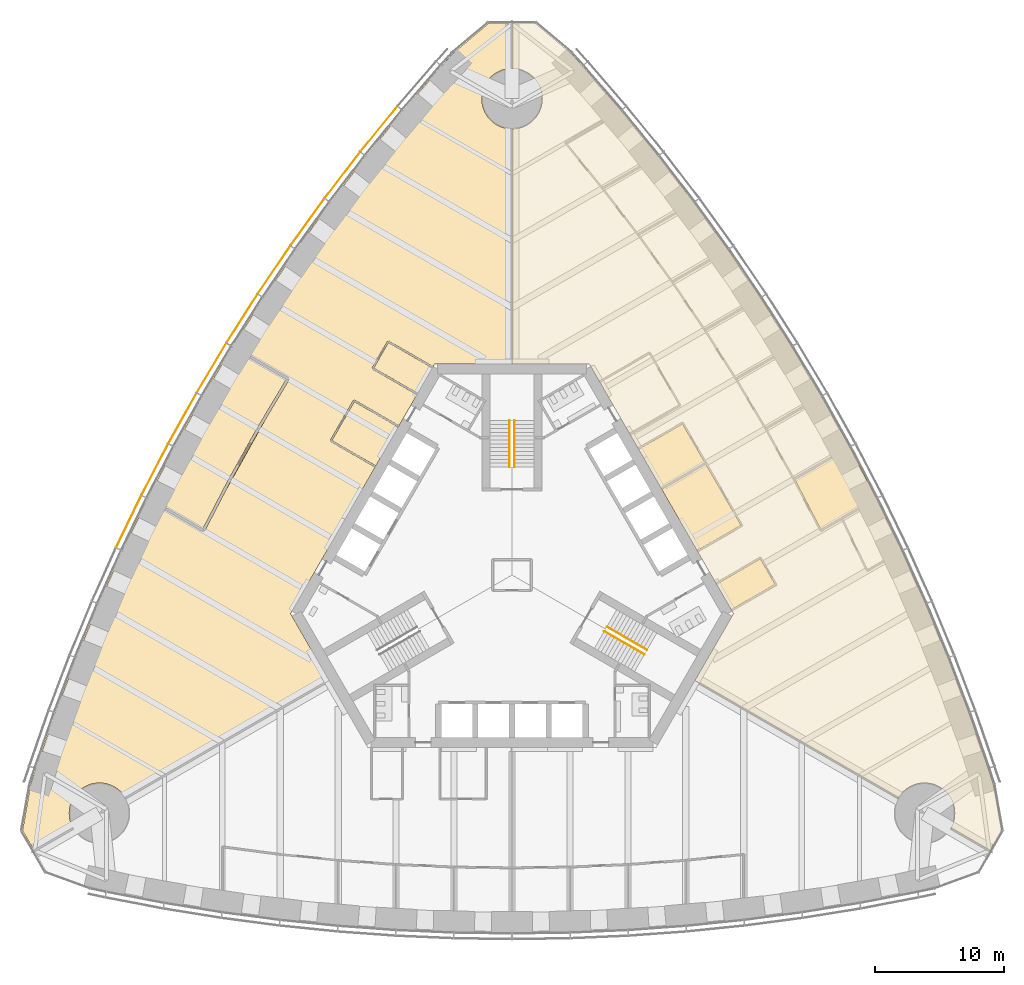
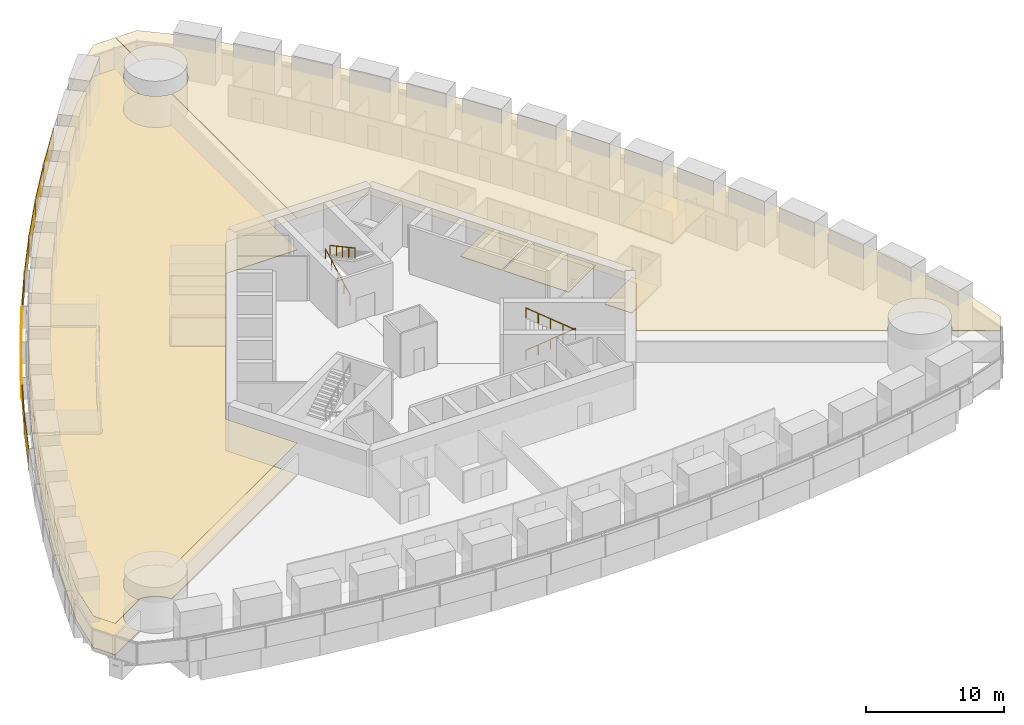
# One storey, part 15 of 18: 10 coverings, 9 shading devices, 4 railings.
"""IFC4 building model written with IfcOpenShell, lengths in metres."""

from ifc_helpers import new_model, si_unit, direction, frame, origin, origin_2d, place, context, subcontext, project, spatial, polyline, rectangle, circle, outline, extrude, material, layer, layer_set, type_object, element, save


model = new_model("IFC4")

# Units and contexts
model_context = context("Model", 3, precision=1e-05, world=origin(), true_north=direction((0.0, 1.0)))
body_context = subcontext(model_context, "Body", "Model", "MODEL_VIEW")
ifc_project = project(units=[si_unit("LENGTHUNIT", "METRE"), si_unit("AREAUNIT", "SQUARE_METRE"), si_unit("VOLUMEUNIT", "CUBIC_METRE"), si_unit("PLANEANGLEUNIT", "RADIAN"), si_unit("MASSUNIT", "GRAM", prefix="KILO")], contexts=[model_context])

# Site, building, storey
site_placement = place(None, origin())
site = spatial("IfcSite", under=ifc_project, at=site_placement, CompositionType="ELEMENT")
building_placement = place(site_placement, origin())
building = spatial("IfcBuilding", under=site, at=building_placement, Name="Trefoil Bronze Tower", CompositionType="ELEMENT")
storey_placement = place(building_placement, frame((0.0, 0.0, 87.89990234375)))
storey = spatial("IfcBuildingStorey", under=building, at=storey_placement, Name="L20", CompositionType="ELEMENT", Elevation=87.89990234375)

# Shading devices
ifc_material_1 = material(Name="Perforated bronze sheet", Category="bronze")
ifc_layer_1 = layer(ifc_material_1, 0.0400390625)
ifc_layer_set_1 = layer_set([ifc_layer_1], Name="Bronze solar screen panel")
shading_device_type = type_object("IfcShadingDeviceType", Name="Bronze solar screen panel", PredefinedType="SHUTTER", material=ifc_layer_set_1)
shading_device_1_placement = place(storey_placement, frame((-10.338623046875, 34.6474609375, 0.050048828125), z_axis=(0.0, 0.0, 1.0), x_axis=(-0.631810729457, -0.775122701346, 0.0)))
element("IfcShadingDevice", 1, at=shading_device_1_placement, inside=storey, type_object=shading_device_type, Name="Solar screen CW-A L20 F3 bay 3", PredefinedType="SHUTTER", context=body_context, shape_type="SweptSolid", body=[
    extrude(rectangle(XDim=4.5283203125, YDim=0.0400390625, at=origin_2d()), origin(), (0.0, 0.0, 1.0), 1.8701171875),
])
shading_device_2_placement = place(storey_placement, frame((-13.170166015625, 31.06787109375, 0.050048828125), z_axis=(0.0, 0.0, 1.0), x_axis=(-0.608807670879, -0.793317855515, 0.0)))
element("IfcShadingDevice", 2, at=shading_device_2_placement, inside=storey, type_object=shading_device_type, Name="Solar screen CW-A L20 F3 bay 4", PredefinedType="SHUTTER", context=body_context, shape_type="SweptSolid", body=[
    extrude(rectangle(XDim=4.5087890625, YDim=0.0400390625, at=origin_2d()), origin(), (0.0, 0.0, 1.0), 1.8701171875),
])
shading_device_3_placement = place(storey_placement, frame((-15.88525390625, 27.421142578125, 0.050048828125), z_axis=(0.0, 0.0, 1.0), x_axis=(-0.585372522213, -0.810764460394, 0.0)))
element("IfcShadingDevice", 3, at=shading_device_3_placement, inside=storey, type_object=shading_device_type, Name="Solar screen CW-A L20 F3 bay 5", PredefinedType="SHUTTER", context=body_context, shape_type="SweptSolid", body=[
    extrude(rectangle(XDim=4.493408203125, YDim=0.0400390625, at=origin_2d()), origin(), (0.0, 0.0, 1.0), 1.8701171875),
])
shading_device_4_placement = place(storey_placement, frame((-18.48486328125, 23.707763671875, 0.050048828125), z_axis=(0.0, 0.0, 1.0), x_axis=(-0.56150968077, -0.827470167681, 0.0)))
element("IfcShadingDevice", 4, at=shading_device_4_placement, inside=storey, type_object=shading_device_type, Name="Solar screen CW-A L20 F3 bay 6", PredefinedType="SHUTTER", context=body_context, shape_type="SweptSolid", body=[
    extrude(rectangle(XDim=4.48193359375, YDim=0.0400390625, at=origin_2d()), origin(), (0.0, 0.0, 1.0), 1.8701171875),
])
shading_device_5_placement = place(storey_placement, frame((-20.97021484375, 19.928466796875, 0.050048828125), z_axis=(0.0, 0.0, 1.0), x_axis=(-0.537222392469, -0.843440632783, 0.0)))
element("IfcShadingDevice", 5, at=shading_device_5_placement, inside=storey, type_object=shading_device_type, Name="Solar screen CW-A L20 F3 bay 7", PredefinedType="SHUTTER", context=body_context, shape_type="SweptSolid", body=[
    extrude(rectangle(XDim=4.474365234375, YDim=0.0400390625, at=origin_2d()), origin(), (0.0, 0.0, 1.0), 1.8701171875),
])
for number, where, z_axis, x_axis, name in (
    (6, (-23.341552734375, 16.083251953125, 0.050048828125), (0.0, 0.0, 1.0), (-0.51251279404, -0.858679588639, 0.0), "Solar screen CW-A L20 F3 bay 8"),
    (7, (-25.599365234375, 12.172607421875, 0.050048828125), (0.0, 0.0, 1.0), (-0.487381940453, -0.873188893722, 0.0), "Solar screen CW-A L20 F3 bay 9"),
):
    element("IfcShadingDevice", number, at=place(storey_placement, frame(where, z_axis=z_axis, x_axis=x_axis)), inside=storey, type_object=shading_device_type, Name=name, PredefinedType="SHUTTER", context=body_context, shape_type="SweptSolid", body=[
        extrude(rectangle(XDim=4.470458984375, YDim=0.0400390625, at=origin_2d()), origin(), (0.0, 0.0, 1.0), 1.8701171875),
    ])
shading_device_6_placement = place(storey_placement, frame((-27.74365234375, 8.1962890625, 0.050048828125), z_axis=(0.0, 0.0, 1.0), x_axis=(-0.46182981834, -0.886968555752, 0.0)))
element("IfcShadingDevice", 8, at=shading_device_6_placement, inside=storey, type_object=shading_device_type, Name="Solar screen CW-A L20 F3 bay 10", PredefinedType="SHUTTER", context=body_context, shape_type="SweptSolid", body=[
    extrude(rectangle(XDim=4.474365234375, YDim=0.0400390625, at=origin_2d()), origin(), (0.0, 0.0, 1.0), 1.8701171875),
])
shading_device_7_placement = place(storey_placement, frame((-29.77392578125, 4.154541015625, 0.050048828125), z_axis=(0.0, 0.0, 1.0), x_axis=(-0.4358553457, -0.900016731858, 0.0)))
element("IfcShadingDevice", 9, at=shading_device_7_placement, inside=storey, type_object=shading_device_type, Name="Solar screen CW-A L20 F3 bay 11", PredefinedType="SHUTTER", context=body_context, shape_type="SweptSolid", body=[
    extrude(rectangle(XDim=4.48193359375, YDim=0.0400390625, at=origin_2d()), origin(), (0.0, 0.0, 1.0), 1.8701171875),
])

# Railings
ifc_material_2 = material(Name="Steel handrail", Category="steel")
railing_type = type_object("IfcRailingType", Name="Handrail 900", PredefinedType="HANDRAIL", material=ifc_material_2)
railing_1_placement = place(storey_placement, frame((7.365966796875, -4.021728515625, 0.16162109375)))
element("IfcRailing", 10, at=railing_1_placement, inside=storey, type_object=railing_type, Name="Handrail ST1 flight 1 L20", PredefinedType="HANDRAIL", context=body_context, shape_type="SweptSolid", body=[
    extrude(circle(Radius=0.02392578125, at=origin_2d()), frame((0.0, 0.0, 0.8759765625), z_axis=(0.76250339821, -0.440245697338, 0.474101564745), x_axis=(0.500012057535, 0.866018442252, 0.0)), (0.0, 0.0, 1.0), 4.088623046875),
    extrude(circle(Radius=0.02099609375, at=origin_2d()), origin(), (0.0, 0.0, 1.0), 0.851806640625),
    extrude(circle(Radius=0.02099609375, at=origin_2d()), frame((0.779296875, -0.449951171875, 0.484619140625)), (0.0, 0.0, 1.0), 0.851806640625),
    extrude(circle(Radius=0.02099609375, at=origin_2d()), frame((1.558837890625, -0.89990234375, 0.96923828125)), (0.0, 0.0, 1.0), 0.851806640625),
    extrude(circle(Radius=0.02099609375, at=origin_2d()), frame((2.33837890625, -1.35009765625, 1.453857421875)), (0.0, 0.0, 1.0), 0.851806640625),
    extrude(circle(Radius=0.02099609375, at=origin_2d()), frame((3.11767578125, -1.800048828125, 1.9384765625)), (0.0, 0.0, 1.0), 0.851806640625),
])
railing_2_placement = place(storey_placement, frame((10.28369140625, -6.168212890625, 2.26171875)))
element("IfcRailing", 11, at=railing_2_placement, inside=storey, type_object=railing_type, Name="Handrail ST1 flight 2 L20", PredefinedType="HANDRAIL", context=body_context, shape_type="SweptSolid", body=[
    extrude(circle(Radius=0.02392578125, at=origin_2d()), frame((0.0, 0.0, 0.8759765625), z_axis=(-0.76250339821, 0.440245697338, 0.474101564745), x_axis=(-0.500012057535, -0.866018442252, 0.0)), (0.0, 0.0, 1.0), 4.088623046875),
    extrude(circle(Radius=0.02099609375, at=origin_2d()), origin(), (0.0, 0.0, 1.0), 0.851806640625),
    extrude(circle(Radius=0.02099609375, at=origin_2d()), frame((-0.779296875, 0.449951171875, 0.484619140625)), (0.0, 0.0, 1.0), 0.851806640625),
    extrude(circle(Radius=0.02099609375, at=origin_2d()), frame((-1.558837890625, 0.89990234375, 0.96923828125)), (0.0, 0.0, 1.0), 0.851806640625),
    extrude(circle(Radius=0.02099609375, at=origin_2d()), frame((-2.33837890625, 1.35009765625, 1.453857421875)), (0.0, 0.0, 1.0), 0.851806640625),
    extrude(circle(Radius=0.02099609375, at=origin_2d()), frame((-3.11767578125, 1.800048828125, 1.9384765625)), (0.0, 0.0, 1.0), 0.851806640625),
])
railing_3_placement = place(storey_placement, frame((-0.199951171875, 8.389892578125, 0.16162109375)))
element("IfcRailing", 12, at=railing_3_placement, inside=storey, type_object=railing_type, Name="Handrail ST2 flight 1 L20", PredefinedType="HANDRAIL", context=body_context, shape_type="SweptSolid", body=[
    extrude(circle(Radius=0.02392578125, at=origin_2d()), frame((0.0, 0.0, 0.8759765625), z_axis=(0.0, 0.880474934443, 0.474092701714), x_axis=(-1.0, 0.0, 0.0)), (0.0, 0.0, 1.0), 4.0888671875),
    extrude(circle(Radius=0.02099609375, at=origin_2d()), origin(), (0.0, 0.0, 1.0), 0.851806640625),
    extrude(circle(Radius=0.02099609375, at=origin_2d()), frame((0.0, 0.89990234375, 0.484619140625)), (0.0, 0.0, 1.0), 0.851806640625),
    extrude(circle(Radius=0.02099609375, at=origin_2d()), frame((0.0, 1.800048828125, 0.96923828125)), (0.0, 0.0, 1.0), 0.851806640625),
    extrude(circle(Radius=0.02099609375, at=origin_2d()), frame((0.0, 2.7001953125, 1.453857421875)), (0.0, 0.0, 1.0), 0.851806640625),
    extrude(circle(Radius=0.02099609375, at=origin_2d()), frame((0.0, 3.60009765625, 1.9384765625)), (0.0, 0.0, 1.0), 0.851806640625),
])
railing_4_placement = place(storey_placement, frame((0.199951171875, 11.989990234375, 2.26171875)))
element("IfcRailing", 13, at=railing_4_placement, inside=storey, type_object=railing_type, Name="Handrail ST2 flight 2 L20", PredefinedType="HANDRAIL", context=body_context, shape_type="SweptSolid", body=[
    extrude(circle(Radius=0.02392578125, at=origin_2d()), frame((0.0, 0.0, 0.8759765625), z_axis=(0.0, -0.880474934443, 0.474092701714), x_axis=(1.0, 0.0, 0.0)), (0.0, 0.0, 1.0), 4.0888671875),
    extrude(circle(Radius=0.02099609375, at=origin_2d()), origin(), (0.0, 0.0, 1.0), 0.851806640625),
    extrude(circle(Radius=0.02099609375, at=origin_2d()), frame((0.0, -0.89990234375, 0.484619140625)), (0.0, 0.0, 1.0), 0.851806640625),
    extrude(circle(Radius=0.02099609375, at=origin_2d()), frame((0.0, -1.800048828125, 0.96923828125)), (0.0, 0.0, 1.0), 0.851806640625),
    extrude(circle(Radius=0.02099609375, at=origin_2d()), frame((0.0, -2.7001953125, 1.453857421875)), (0.0, 0.0, 1.0), 0.851806640625),
    extrude(circle(Radius=0.02099609375, at=origin_2d()), frame((0.0, -3.60009765625, 1.9384765625)), (0.0, 0.0, 1.0), 0.851806640625),
])

# Coverings
ifc_material_3 = material(Name="Acoustic ceiling panels", Category="mineral fibre")
ifc_layer_2 = layer(ifc_material_3, 0.02001953125)
ifc_layer_set_2 = layer_set([ifc_layer_2], Name="Office ceiling 20")
covering_type_1 = type_object("IfcCoveringType", Name="Office ceiling 20", PredefinedType="CEILING", material=ifc_layer_set_2)
covering_1_placement = place(storey_placement, frame((0.0, 0.0, 2.900146484375)))
element("IfcCovering", 14, at=covering_1_placement, inside=storey, type_object=covering_type_1, Name="Ceiling L20 Open-plan office F2", PredefinedType="CEILING", context=body_context, shape_type="SweptSolid", body=[
    extrude(outline(polyline([(5.4814453125, 39.537841796875), (8.47998046875, 36.072998046875), (11.360107421875, 32.53955078125), (14.123291015625, 28.938720703125), (16.771240234375, 25.271484375), (19.3046875, 21.537841796875), (21.724609375, 17.73876953125), (24.031005859375, 13.87451171875), (26.224609375, 9.944580078125), (28.3046875, 5.949462890625), (30.271240234375, 1.888671875), (32.123291015625, -2.23828125), (33.860107421875, -6.431640625), (35.47998046875, -10.6923828125), (36.9814453125, -15.021728515625), (37.381103515625, -16.248779296875), (38.0146484375, -19.841552734375), (37.110595703125, -21.4072265625), (34.084716796875, -19.661865234375), (34.115478515625, -19.60791015625), (34.167236328125, -19.5048828125), (34.214111328125, -19.3994140625), (34.255615234375, -19.291748046875), (34.291748046875, -19.18212890625), (34.322509765625, -19.071044921875), (34.347900390625, -18.95849609375), (34.367431640625, -18.8447265625), (34.381591796875, -18.730224609375), (34.39013671875, -18.615234375), (34.392822265625, -18.5), (34.39013671875, -18.384765625), (34.381591796875, -18.269775390625), (34.367431640625, -18.1552734375), (34.347900390625, -18.04150390625), (34.322509765625, -17.928955078125), (34.291748046875, -17.81787109375), (34.255615234375, -17.708251953125), (34.214111328125, -17.6005859375), (34.167236328125, -17.4951171875), (34.115478515625, -17.39208984375), (34.05859375, -17.2919921875), (33.996826171875, -17.1943359375), (33.930419921875, -17.10009765625), (33.859619140625, -17.00927734375), (33.7841796875, -16.921875), (33.70458984375, -16.83837890625), (33.62109375, -16.7587890625), (33.53369140625, -16.683349609375), (33.44287109375, -16.612548828125), (33.348388671875, -16.5458984375), (33.251220703125, -16.484375), (33.150634765625, -16.427490234375), (33.047607421875, -16.37548828125), (32.942138671875, -16.328857421875), (32.834716796875, -16.287353515625), (32.72509765625, -16.251220703125), (32.614013671875, -16.220458984375), (32.50146484375, -16.1953125), (32.3876953125, -16.17529296875), (32.273193359375, -16.161376953125), (32.158203125, -16.15283203125), (32.04296875, -16.14990234375), (31.927490234375, -16.15283203125), (31.8125, -16.161376953125), (31.697998046875, -16.17529296875), (31.58447265625, -16.1953125), (31.471923828125, -16.220458984375), (31.36083984375, -16.251220703125), (31.251220703125, -16.287353515625), (31.1435546875, -16.328857421875), (31.0380859375, -16.37548828125), (30.935302734375, -16.427490234375), (30.834716796875, -16.484375), (30.7373046875, -16.5458984375), (30.64306640625, -16.612548828125), (30.552001953125, -16.683349609375), (30.46484375, -16.7587890625), (30.381103515625, -16.83837890625), (30.3017578125, -16.921875), (30.226318359375, -17.00927734375), (30.155517578125, -17.10009765625), (30.089111328125, -17.1943359375), (30.02734375, -17.2919921875), (30.0146484375, -17.31396484375), (14.205810546875, -8.194580078125), (17.205078125, -3.0), (6.00439453125, 16.39990234375), (0.006103515625, 16.39990234375), (0.012939453125, 34.650390625), (0.115234375, 34.65283203125), (0.230224609375, 34.661376953125), (0.3447265625, 34.67529296875), (0.45849609375, 34.6953125), (0.571044921875, 34.720458984375), (0.68212890625, 34.751220703125), (0.791748046875, 34.787353515625), (0.8994140625, 34.828857421875), (1.0048828125, 34.87548828125), (1.10791015625, 34.927490234375), (1.2080078125, 34.984375), (1.3056640625, 35.0458984375), (1.39990234375, 35.112548828125), (1.49072265625, 35.183349609375), (1.578125, 35.2587890625), (1.66162109375, 35.33837890625), (1.7412109375, 35.421875), (1.816650390625, 35.50927734375), (1.887451171875, 35.60009765625), (1.9541015625, 35.6943359375), (2.015625, 35.7919921875), (2.072509765625, 35.89208984375), (2.12451171875, 35.9951171875), (2.171142578125, 36.1005859375), (2.212646484375, 36.208251953125), (2.248779296875, 36.31787109375), (2.279541015625, 36.428955078125), (2.3046875, 36.54150390625), (2.32470703125, 36.6552734375), (2.338623046875, 36.769775390625), (2.34716796875, 36.884765625), (2.35009765625, 37.0), (2.34716796875, 37.115234375), (2.338623046875, 37.230224609375), (2.32470703125, 37.3447265625), (2.3046875, 37.45849609375), (2.279541015625, 37.571044921875), (2.248779296875, 37.68212890625), (2.212646484375, 37.791748046875), (2.171142578125, 37.8994140625), (2.12451171875, 38.0048828125), (2.072509765625, 38.10791015625), (2.015625, 38.2080078125), (1.9541015625, 38.3056640625), (1.887451171875, 38.39990234375), (1.816650390625, 38.49072265625), (1.7412109375, 38.578125), (1.66162109375, 38.66162109375), (1.578125, 38.7412109375), (1.49072265625, 38.816650390625), (1.39990234375, 38.887451171875), (1.3056640625, 38.9541015625), (1.2080078125, 39.015625), (1.10791015625, 39.072509765625), (1.0048828125, 39.12451171875), (0.8994140625, 39.171142578125), (0.791748046875, 39.212646484375), (0.68212890625, 39.248779296875), (0.571044921875, 39.279541015625), (0.45849609375, 39.3046875), (0.3447265625, 39.32470703125), (0.230224609375, 39.338623046875), (0.115234375, 39.34716796875), (0.014892578125, 39.349609375), (0.01611328125, 42.84228515625), (1.82421875, 42.84228515625), (4.618896484375, 40.497314453125), (5.4814453125, 39.537841796875)])), origin(), (0.0, 0.0, 1.0), 0.02001953125),
])
covering_2_placement = place(storey_placement, frame((0.0, 0.0, 2.900146484375)))
element("IfcCovering", 15, at=covering_2_placement, inside=storey, type_object=covering_type_1, Name="Ceiling L20 Open-plan office F3", PredefinedType="CEILING", context=body_context, shape_type="SweptSolid", body=[
    extrude(outline(polyline([(-36.9814453125, -15.021728515625), (-35.47998046875, -10.6923828125), (-33.860107421875, -6.431640625), (-32.123291015625, -2.23828125), (-30.271240234375, 1.888671875), (-28.3046875, 5.949462890625), (-26.224609375, 9.944580078125), (-24.031005859375, 13.87451171875), (-21.724609375, 17.73876953125), (-19.3046875, 21.537841796875), (-16.771240234375, 25.271484375), (-14.123291015625, 28.938720703125), (-11.360107421875, 32.53955078125), (-8.47998046875, 36.072998046875), (-5.4814453125, 39.537841796875), (-4.618896484375, 40.497314453125), (-1.82421875, 42.84228515625), (-0.01611328125, 42.84228515625), (-0.014892578125, 39.349609375), (-0.115234375, 39.34716796875), (-0.230224609375, 39.338623046875), (-0.3447265625, 39.32470703125), (-0.45849609375, 39.3046875), (-0.571044921875, 39.279541015625), (-0.68212890625, 39.248779296875), (-0.791748046875, 39.212646484375), (-0.8994140625, 39.171142578125), (-1.0048828125, 39.12451171875), (-1.10791015625, 39.072509765625), (-1.2080078125, 39.015625), (-1.3056640625, 38.9541015625), (-1.39990234375, 38.887451171875), (-1.49072265625, 38.816650390625), (-1.578125, 38.7412109375), (-1.66162109375, 38.66162109375), (-1.7412109375, 38.578125), (-1.816650390625, 38.49072265625), (-1.887451171875, 38.39990234375), (-1.9541015625, 38.3056640625), (-2.015625, 38.2080078125), (-2.072509765625, 38.10791015625), (-2.12451171875, 38.0048828125), (-2.171142578125, 37.8994140625), (-2.212646484375, 37.791748046875), (-2.248779296875, 37.68212890625), (-2.279541015625, 37.571044921875), (-2.3046875, 37.45849609375), (-2.32470703125, 37.3447265625), (-2.338623046875, 37.230224609375), (-2.34716796875, 37.115234375), (-2.35009765625, 37.0), (-2.34716796875, 36.884765625), (-2.338623046875, 36.769775390625), (-2.32470703125, 36.6552734375), (-2.3046875, 36.54150390625), (-2.279541015625, 36.428955078125), (-2.248779296875, 36.31787109375), (-2.212646484375, 36.208251953125), (-2.171142578125, 36.1005859375), (-2.12451171875, 35.9951171875), (-2.072509765625, 35.89208984375), (-2.015625, 35.7919921875), (-1.9541015625, 35.6943359375), (-1.887451171875, 35.60009765625), (-1.816650390625, 35.50927734375), (-1.7412109375, 35.421875), (-1.66162109375, 35.33837890625), (-1.578125, 35.2587890625), (-1.49072265625, 35.183349609375), (-1.39990234375, 35.112548828125), (-1.3056640625, 35.0458984375), (-1.2080078125, 34.984375), (-1.10791015625, 34.927490234375), (-1.0048828125, 34.87548828125), (-0.8994140625, 34.828857421875), (-0.791748046875, 34.787353515625), (-0.68212890625, 34.751220703125), (-0.571044921875, 34.720458984375), (-0.45849609375, 34.6953125), (-0.3447265625, 34.67529296875), (-0.230224609375, 34.661376953125), (-0.115234375, 34.65283203125), (-0.012939453125, 34.650390625), (-0.006103515625, 16.39990234375), (-6.00439453125, 16.39990234375), (-17.205078125, -3.0), (-14.205810546875, -8.194580078125), (-30.0146484375, -17.31396484375), (-30.02734375, -17.2919921875), (-30.089111328125, -17.1943359375), (-30.155517578125, -17.10009765625), (-30.226318359375, -17.00927734375), (-30.3017578125, -16.921875), (-30.381103515625, -16.83837890625), (-30.46484375, -16.7587890625), (-30.552001953125, -16.683349609375), (-30.64306640625, -16.612548828125), (-30.7373046875, -16.5458984375), (-30.834716796875, -16.484375), (-30.935302734375, -16.427490234375), (-31.0380859375, -16.37548828125), (-31.1435546875, -16.328857421875), (-31.251220703125, -16.287353515625), (-31.36083984375, -16.251220703125), (-31.471923828125, -16.220458984375), (-31.58447265625, -16.1953125), (-31.697998046875, -16.17529296875), (-31.8125, -16.161376953125), (-31.927490234375, -16.15283203125), (-32.04296875, -16.14990234375), (-32.158203125, -16.15283203125), (-32.273193359375, -16.161376953125), (-32.3876953125, -16.17529296875), (-32.50146484375, -16.1953125), (-32.614013671875, -16.220458984375), (-32.72509765625, -16.251220703125), (-32.834716796875, -16.287353515625), (-32.942138671875, -16.328857421875), (-33.047607421875, -16.37548828125), (-33.150634765625, -16.427490234375), (-33.251220703125, -16.484375), (-33.348388671875, -16.5458984375), (-33.44287109375, -16.612548828125), (-33.53369140625, -16.683349609375), (-33.62109375, -16.7587890625), (-33.70458984375, -16.83837890625), (-33.7841796875, -16.921875), (-33.859619140625, -17.00927734375), (-33.930419921875, -17.10009765625), (-33.996826171875, -17.1943359375), (-34.05859375, -17.2919921875), (-34.115478515625, -17.39208984375), (-34.167236328125, -17.4951171875), (-34.214111328125, -17.6005859375), (-34.255615234375, -17.708251953125), (-34.291748046875, -17.81787109375), (-34.322509765625, -17.928955078125), (-34.347900390625, -18.04150390625), (-34.367431640625, -18.1552734375), (-34.381591796875, -18.269775390625), (-34.39013671875, -18.384765625), (-34.392822265625, -18.5), (-34.39013671875, -18.615234375), (-34.381591796875, -18.730224609375), (-34.367431640625, -18.8447265625), (-34.347900390625, -18.95849609375), (-34.322509765625, -19.071044921875), (-34.291748046875, -19.18212890625), (-34.255615234375, -19.291748046875), (-34.214111328125, -19.3994140625), (-34.167236328125, -19.5048828125), (-34.115478515625, -19.60791015625), (-34.084716796875, -19.661865234375), (-37.110595703125, -21.4072265625), (-38.0146484375, -19.841552734375), (-37.381103515625, -16.248779296875), (-36.9814453125, -15.021728515625)])), origin(), (0.0, 0.0, 1.0), 0.02001953125),
])
ifc_material_4 = material(Name="Raised access floor panels", Category="steel")
ifc_layer_3 = layer(ifc_material_4, 0.050048828125)
ifc_layer_set_3 = layer_set([ifc_layer_3], Name="Raised access floor 150")
covering_type_2 = type_object("IfcCoveringType", Name="Raised access floor 150", PredefinedType="FLOORING", material=ifc_layer_set_3)
covering_3_placement = place(storey_placement, frame((0.0, 0.0, 0.10009765625)))
element("IfcCovering", 16, at=covering_3_placement, inside=storey, type_object=covering_type_2, Name="Raised floor L20 Meeting room F2", PredefinedType="FLOORING", context=body_context, shape_type="SweptSolid", body=[
    extrude(outline(polyline([(11.634765625, 6.64794921875), (15.046875, 8.617919921875), (17.786865234375, 3.872314453125), (14.374755859375, 1.902099609375), (11.634765625, 6.64794921875)])), origin(), (0.0, 0.0, 1.0), 0.050048828125),
])
covering_4_placement = place(storey_placement, frame((0.0, 0.0, 0.10009765625)))
element("IfcCovering", 17, at=covering_4_placement, inside=storey, type_object=covering_type_2, Name="Raised floor L20 Meeting room F2", PredefinedType="FLOORING", context=body_context, shape_type="SweptSolid", body=[
    extrude(outline(polyline([(9.834716796875, 9.765625), (13.246826171875, 11.735595703125), (14.98681640625, 8.721923828125), (11.57470703125, 6.751953125), (9.834716796875, 9.765625)])), origin(), (0.0, 0.0, 1.0), 0.050048828125),
])
covering_5_placement = place(storey_placement, frame((0.0, 0.0, 0.10009765625)))
element("IfcCovering", 18, at=covering_5_placement, inside=storey, type_object=covering_type_2, Name="Raised floor L20 Print and store room F2", PredefinedType="FLOORING", context=body_context, shape_type="SweptSolid", body=[
    extrude(outline(polyline([(15.884765625, -0.713134765625), (19.296875, 1.2568359375), (20.43701171875, -0.7177734375), (17.024658203125, -2.687744140625), (15.884765625, -0.713134765625)])), origin(), (0.0, 0.0, 1.0), 0.050048828125),
])
covering_6_placement = place(storey_placement, frame((0.0, 0.0, 0.10009765625)))
element("IfcCovering", 19, at=covering_6_placement, inside=storey, type_object=covering_type_2, Name="Raised floor L20 Office F2", PredefinedType="FLOORING", context=body_context, shape_type="SweptSolid", body=[
    extrude(outline(polyline([(26.224609375, 9.944580078125), (28.3046875, 5.949462890625), (26.890869140625, 5.133056640625), (26.86083984375, 5.18505859375), (23.998779296875, 3.53271484375), (21.97412109375, 7.42138671875), (24.84228515625, 9.077392578125), (24.812255859375, 9.12939453125), (26.224609375, 9.944580078125)])), origin(), (0.0, 0.0, 1.0), 0.050048828125),
])
covering_7_placement = place(storey_placement, frame((0.0, 0.0, 0.10009765625)))
element("IfcCovering", 20, at=covering_7_placement, inside=storey, type_object=covering_type_2, Name="Raised floor L20 Meeting room F3", PredefinedType="FLOORING", context=body_context, shape_type="SweptSolid", body=[
    extrude(outline(polyline([(-10.57470703125, 8.48388671875), (-13.98681640625, 10.4541015625), (-12.246826171875, 13.4677734375), (-8.834716796875, 11.497802734375), (-10.57470703125, 8.48388671875)])), origin(), (0.0, 0.0, 1.0), 0.050048828125),
])
covering_8_placement = place(storey_placement, frame((0.0, 0.0, 0.10009765625)))
element("IfcCovering", 21, at=covering_8_placement, inside=storey, type_object=covering_type_2, Name="Raised floor L20 Print and store room F3", PredefinedType="FLOORING", context=body_context, shape_type="SweptSolid", body=[
    extrude(outline(polyline([(-7.32470703125, 14.11328125), (-10.73681640625, 16.083251953125), (-9.596923828125, 18.0576171875), (-6.184814453125, 16.087646484375), (-7.32470703125, 14.11328125)])), origin(), (0.0, 0.0, 1.0), 0.050048828125),
])
covering_9_placement = place(storey_placement, frame((0.0, 0.0, 0.10009765625)))
element("IfcCovering", 22, at=covering_9_placement, inside=storey, type_object=covering_type_2, Name="Raised floor L20 Training room F3", PredefinedType="FLOORING", context=body_context, shape_type="SweptSolid", body=[
    extrude(outline(polyline([(-24.031005859375, 13.87451171875), (-21.724609375, 17.73876953125), (-20.312255859375, 16.923583984375), (-20.3623046875, 16.8369140625), (-17.5322265625, 15.202880859375), (-19.786865234375, 11.425537109375), (-19.700927734375, 11.37451171875), (-19.788330078125, 11.423095703125), (-21.981689453125, 7.493408203125), (-21.894287109375, 7.444580078125), (-21.983154296875, 7.49072265625), (-24.01513671875, 3.58837890625), (-26.8408203125, 5.2197265625), (-26.890869140625, 5.133056640625), (-28.3046875, 5.949462890625), (-26.224609375, 9.944580078125), (-24.031005859375, 13.87451171875)])), origin(), (0.0, 0.0, 1.0), 0.050048828125),
])
covering_10_placement = place(storey_placement, frame((0.0, 0.0, 0.10009765625)))
element("IfcCovering", 23, at=covering_10_placement, inside=storey, type_object=covering_type_2, Name="Raised floor L20 Open-plan office F3", PredefinedType="FLOORING", context=body_context, shape_type="SweptSolid", body=[
    extrude(outline(polyline([(-30.271240234375, 1.888671875), (-28.3046875, 5.949462890625), (-26.890869140625, 5.133056640625), (-26.94091796875, 5.04638671875), (-24.024658203125, 3.36279296875), (-23.974609375, 3.449462890625), (-23.885986328125, 3.4033203125), (-22.294921875, 6.458740234375), (-19.073486328125, 12.230712890625), (-17.30859375, 15.1875), (-17.394287109375, 15.23876953125), (-17.344482421875, 15.325439453125), (-20.26220703125, 17.010009765625), (-20.312255859375, 16.923583984375), (-21.724609375, 17.73876953125), (-19.3046875, 21.537841796875), (-16.771240234375, 25.271484375), (-14.123291015625, 28.938720703125), (-11.360107421875, 32.53955078125), (-8.47998046875, 36.072998046875), (-5.4814453125, 39.537841796875), (-4.618896484375, 40.497314453125), (-1.82421875, 42.84228515625), (-0.01611328125, 42.84228515625), (-0.014892578125, 39.349609375), (-0.115234375, 39.34716796875), (-0.230224609375, 39.338623046875), (-0.3447265625, 39.32470703125), (-0.45849609375, 39.3046875), (-0.571044921875, 39.279541015625), (-0.68212890625, 39.248779296875), (-0.791748046875, 39.212646484375), (-0.8994140625, 39.171142578125), (-1.0048828125, 39.12451171875), (-1.10791015625, 39.072509765625), (-1.2080078125, 39.015625), (-1.3056640625, 38.9541015625), (-1.39990234375, 38.887451171875), (-1.49072265625, 38.816650390625), (-1.578125, 38.7412109375), (-1.66162109375, 38.66162109375), (-1.7412109375, 38.578125), (-1.816650390625, 38.49072265625), (-1.887451171875, 38.39990234375), (-1.9541015625, 38.3056640625), (-2.015625, 38.2080078125), (-2.072509765625, 38.10791015625), (-2.12451171875, 38.0048828125), (-2.171142578125, 37.8994140625), (-2.212646484375, 37.791748046875), (-2.248779296875, 37.68212890625), (-2.279541015625, 37.571044921875), (-2.3046875, 37.45849609375), (-2.32470703125, 37.3447265625), (-2.338623046875, 37.230224609375), (-2.34716796875, 37.115234375), (-2.35009765625, 37.0), (-2.34716796875, 36.884765625), (-2.338623046875, 36.769775390625), (-2.32470703125, 36.6552734375), (-2.3046875, 36.54150390625), (-2.279541015625, 36.428955078125), (-2.248779296875, 36.31787109375), (-2.212646484375, 36.208251953125), (-2.171142578125, 36.1005859375), (-2.12451171875, 35.9951171875), (-2.072509765625, 35.89208984375), (-2.015625, 35.7919921875), (-1.9541015625, 35.6943359375), (-1.887451171875, 35.60009765625), (-1.816650390625, 35.50927734375), (-1.7412109375, 35.421875), (-1.66162109375, 35.33837890625), (-1.578125, 35.2587890625), (-1.49072265625, 35.183349609375), (-1.39990234375, 35.112548828125), (-1.3056640625, 35.0458984375), (-1.2080078125, 34.984375), (-1.10791015625, 34.927490234375), (-1.0048828125, 34.87548828125), (-0.8994140625, 34.828857421875), (-0.791748046875, 34.787353515625), (-0.68212890625, 34.751220703125), (-0.571044921875, 34.720458984375), (-0.45849609375, 34.6953125), (-0.3447265625, 34.67529296875), (-0.230224609375, 34.661376953125), (-0.115234375, 34.65283203125), (-0.012939453125, 34.650390625), (-0.006103515625, 16.39990234375), (-6.00439453125, 16.39990234375), (-6.124755859375, 16.191650390625), (-9.5888671875, 18.191650390625), (-9.618896484375, 18.1396484375), (-9.6708984375, 18.169677734375), (-10.870849609375, 16.09130859375), (-10.81884765625, 16.061279296875), (-10.848876953125, 16.00927734375), (-7.384765625, 14.00927734375), (-8.774658203125, 11.601806640625), (-12.23876953125, 13.601806640625), (-12.268798828125, 13.5498046875), (-12.32080078125, 13.57958984375), (-14.120849609375, 10.462158203125), (-14.06884765625, 10.43212890625), (-14.098876953125, 10.380126953125), (-10.634765625, 8.380126953125), (-17.205078125, -3.0), (-14.205810546875, -8.194580078125), (-30.0146484375, -17.31396484375), (-30.02734375, -17.2919921875), (-30.089111328125, -17.1943359375), (-30.155517578125, -17.10009765625), (-30.226318359375, -17.00927734375), (-30.3017578125, -16.921875), (-30.381103515625, -16.83837890625), (-30.46484375, -16.7587890625), (-30.552001953125, -16.683349609375), (-30.64306640625, -16.612548828125), (-30.7373046875, -16.5458984375), (-30.834716796875, -16.484375), (-30.935302734375, -16.427490234375), (-31.0380859375, -16.37548828125), (-31.1435546875, -16.328857421875), (-31.251220703125, -16.287353515625), (-31.36083984375, -16.251220703125), (-31.471923828125, -16.220458984375), (-31.58447265625, -16.1953125), (-31.697998046875, -16.17529296875), (-31.8125, -16.161376953125), (-31.927490234375, -16.15283203125), (-32.04296875, -16.14990234375), (-32.158203125, -16.15283203125), (-32.273193359375, -16.161376953125), (-32.3876953125, -16.17529296875), (-32.50146484375, -16.1953125), (-32.614013671875, -16.220458984375), (-32.72509765625, -16.251220703125), (-32.834716796875, -16.287353515625), (-32.942138671875, -16.328857421875), (-33.047607421875, -16.37548828125), (-33.150634765625, -16.427490234375), (-33.251220703125, -16.484375), (-33.348388671875, -16.5458984375), (-33.44287109375, -16.612548828125), (-33.53369140625, -16.683349609375), (-33.62109375, -16.7587890625), (-33.70458984375, -16.83837890625), (-33.7841796875, -16.921875), (-33.859619140625, -17.00927734375), (-33.930419921875, -17.10009765625), (-33.996826171875, -17.1943359375), (-34.05859375, -17.2919921875), (-34.115478515625, -17.39208984375), (-34.167236328125, -17.4951171875), (-34.214111328125, -17.6005859375), (-34.255615234375, -17.708251953125), (-34.291748046875, -17.81787109375), (-34.322509765625, -17.928955078125), (-34.347900390625, -18.04150390625), (-34.367431640625, -18.1552734375), (-34.381591796875, -18.269775390625), (-34.39013671875, -18.384765625), (-34.392822265625, -18.5), (-34.39013671875, -18.615234375), (-34.381591796875, -18.730224609375), (-34.367431640625, -18.8447265625), (-34.347900390625, -18.95849609375), (-34.322509765625, -19.071044921875), (-34.291748046875, -19.18212890625), (-34.255615234375, -19.291748046875), (-34.214111328125, -19.3994140625), (-34.167236328125, -19.5048828125), (-34.115478515625, -19.60791015625), (-34.084716796875, -19.661865234375), (-37.110595703125, -21.4072265625), (-38.0146484375, -19.841552734375), (-37.381103515625, -16.248779296875), (-36.9814453125, -15.021728515625), (-35.47998046875, -10.6923828125), (-33.860107421875, -6.431640625), (-32.123291015625, -2.23828125), (-30.271240234375, 1.888671875)])), origin(), (0.0, 0.0, 1.0), 0.050048828125),
])

save(model, "model.ifc")
